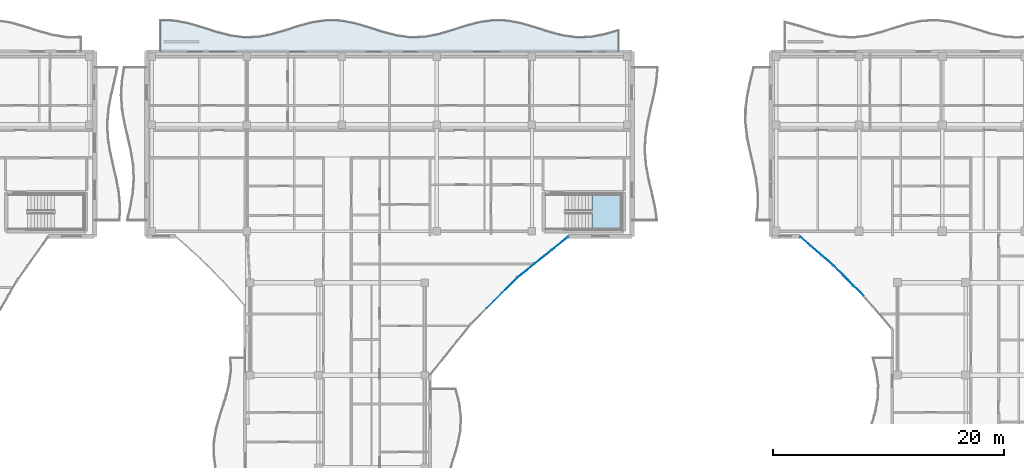
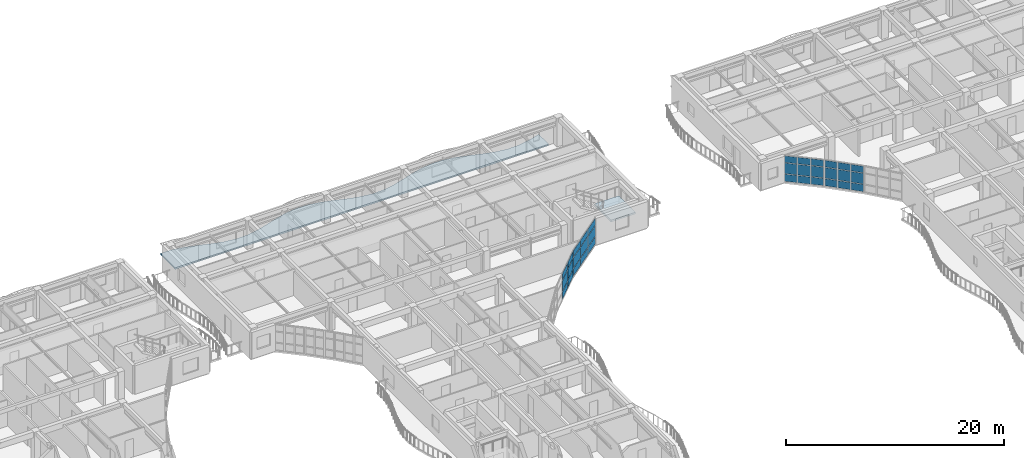
# One storey, part 74 of 128: 33 plates, 2 slabs, 5 elements without a shape of their own.
"""IFC4 building model written with IfcOpenShell, lengths in metres."""

import ifcopenshell
import ifcopenshell.guid

model = None  # the IFC model being written
_history = None  # IfcOwnerHistory: only IFC2X3 demands one
_inside = {}  # id of a spatial element -> (the spatial element, [elements in it])
_under = {}  # id of a project, library or spatial element -> (it, [spatial elements below it])
_declared = {}  # id of a project -> (the project, [libraries it declares])
_typed = {}  # id of a type object -> (the type object, [elements of that type])
_made_of = {}  # id of a material, layer set ... -> (it, [elements and type objects made of it])


def new_model(schema):
    """Start an empty IFC model of exactly this schema.

    Asked for "IFC4X3", IfcOpenShell would pick the latest addendum, in which some entities
    have other attributes; the version numbers below select the first issue.
    IFC2X3 requires an IfcOwnerHistory on every rooted entity: one is made here for all.
    """
    global model, _history
    if schema == "IFC4X3":
        model = ifcopenshell.file(schema_version=(4, 3, 0, 0))
    else:
        model = ifcopenshell.file(schema=schema)
    _inside.clear()
    _under.clear()
    _declared.clear()
    _typed.clear()
    _made_of.clear()
    _history = None
    if model.schema == "IFC2X3":
        org = make("IfcOrganization", Name="unknown")
        user = make(
            "IfcPersonAndOrganization",
            ThePerson=make("IfcPerson", FamilyName="unknown"),
            TheOrganization=org,
        )
        app = make(
            "IfcApplication",
            ApplicationDeveloper=org,
            Version="unknown",
            ApplicationFullName="unknown",
            ApplicationIdentifier="unknown",
        )
        _history = make(
            "IfcOwnerHistory",
            OwningUser=user,
            OwningApplication=app,
            ChangeAction="ADDED",
            CreationDate=0,
        )
    return model


def make(cls, **values):
    """One entity of the class cls with the attributes given. An attribute that is None is left unset."""
    return model.create_entity(
        cls, **{name: value for name, value in values.items() if value is not None}
    )


def rooted(cls, **values):
    """An entity with a GlobalId (a new one), such as an element, a storey or a relation."""
    return make(cls, GlobalId=ifcopenshell.guid.new(), OwnerHistory=_history, **values)


def si_unit(unit_type, name, prefix=None):
    """IfcSIUnit, for example si_unit("LENGTHUNIT", "METRE", prefix="MILLI")."""
    return make("IfcSIUnit", UnitType=unit_type, Prefix=prefix, Name=name)


def assignment(units):
    """IfcUnitAssignment: the units of a project."""
    return None if units is None else make("IfcUnitAssignment", Units=units)


def point(xyz):
    """IfcCartesianPoint."""
    return None if xyz is None else make("IfcCartesianPoint", Coordinates=xyz)


def direction(xyz):
    """IfcDirection."""
    return None if xyz is None else make("IfcDirection", DirectionRatios=xyz)


def frame(location, z_axis=None, x_axis=None):
    """IfcAxis2Placement3D, a coordinate frame: its origin and axes. An axis left out is left unset."""
    return make(
        "IfcAxis2Placement3D",
        Location=point(location),
        Axis=direction(z_axis),
        RefDirection=direction(x_axis),
    )


def frame_2d(location, x_axis=None):
    """IfcAxis2Placement2D, a coordinate frame in the plane: its origin and x axis."""
    return make(
        "IfcAxis2Placement2D", Location=point(location), RefDirection=direction(x_axis)
    )


def origin():
    """The frame at (0, 0, 0) with its axes left unset."""
    return frame((0.0, 0.0, 0.0))


def origin_2d():
    """The frame at (0, 0) in the plane with its x axis left unset."""
    return frame_2d((0.0, 0.0))


def place(relative_to, where):
    """IfcLocalPlacement: puts the frame where relative to a parent placement (None: the world)."""
    return make(
        "IfcLocalPlacement", PlacementRelTo=relative_to, RelativePlacement=where
    )


def context(
    kind, dimensions, precision=None, world=None, true_north=None, identifier=None
):
    """IfcGeometricRepresentationContext, for example the 3D "Model" context."""
    return make(
        "IfcGeometricRepresentationContext",
        ContextIdentifier=identifier,
        ContextType=kind,
        CoordinateSpaceDimension=dimensions,
        Precision=precision,
        WorldCoordinateSystem=world,
        TrueNorth=true_north,
    )


def subcontext(parent, identifier, kind, view, scale=None):
    """IfcGeometricRepresentationSubContext, for example "Body" below "Model"."""
    return make(
        "IfcGeometricRepresentationSubContext",
        ContextIdentifier=identifier,
        ContextType=kind,
        ParentContext=parent,
        TargetScale=scale,
        TargetView=view,
    )


def project(units=None, contexts=None):
    """IfcProject with its units and contexts."""
    return rooted(
        "IfcProject",
        Name="project",
        RepresentationContexts=contexts,
        UnitsInContext=assignment(units),
    )


def spatial(cls, under=None, at=None, **own):
    """A site, building, storey or space (cls), placed at a placement, below another one or the project."""
    s = rooted(cls, ObjectPlacement=at, **own)
    if under is not None:
        _under.setdefault(under.id(), (under, []))[1].append(s)
    return s


def polyline(points):
    """IfcPolyline through the points."""
    return make("IfcPolyline", Points=[point(p) for p in points])


def profile(cls, at=None, kind="AREA", **sizes):
    """A parametric profile (cls). Its sizes go by their IFC names, for example OverallWidth=200.0."""
    return make(cls, ProfileType=kind, Position=at, **sizes)


def rectangle(**sizes):
    """IfcRectangleProfileDef."""
    return profile("IfcRectangleProfileDef", **sizes)


def outline(outer, holes=None, kind="AREA"):
    """IfcArbitraryClosedProfileDef: a profile drawn as a closed curve; with holes, ...WithVoids."""
    if holes is None:
        return make("IfcArbitraryClosedProfileDef", ProfileType=kind, OuterCurve=outer)
    return make(
        "IfcArbitraryProfileDefWithVoids",
        ProfileType=kind,
        OuterCurve=outer,
        InnerCurves=holes,
    )


def extrude(swept, where, along, depth):
    """IfcExtrudedAreaSolid: the profile swept, set in the frame where, extruded along a direction by depth."""
    return make(
        "IfcExtrudedAreaSolid",
        SweptArea=swept,
        Position=where,
        ExtrudedDirection=direction(along),
        Depth=depth,
    )


def shape(context_of_items, identifier, shape_type, items):
    """IfcShapeRepresentation: the items that make up one representation, for example the "Body"."""
    return make(
        "IfcShapeRepresentation",
        ContextOfItems=context_of_items,
        RepresentationIdentifier=identifier,
        RepresentationType=shape_type,
        Items=items,
    )


def material(Name=None, Category=None):
    """IfcMaterial."""
    return make("IfcMaterial", Name=Name, Category=Category)


def layer(
    of_material, thickness, ventilated=None, Name=None, Category=None, Priority=None
):
    """IfcMaterialLayer: one layer of a wall or slab, of a material (None: an air gap)."""
    return make(
        "IfcMaterialLayer",
        Material=of_material,
        LayerThickness=thickness,
        IsVentilated=ventilated,
        Name=Name,
        Category=Category,
        Priority=Priority,
    )


def layer_set(layers, Name=None):
    """IfcMaterialLayerSet."""
    return make("IfcMaterialLayerSet", MaterialLayers=layers, LayerSetName=Name)


def made_of(thing, what):
    """Note that an element or type object is made of a material, layer set ...; save() writes the relation."""
    if what is not None:
        _made_of.setdefault(what.id(), (what, []))[1].append(thing)
    return thing


def type_object(cls, material=None, **own):
    """A type object (cls), such as IfcWallType, which elements share."""
    return made_of(rooted(cls, **own), material)


def element(
    cls,
    number,
    at=None,
    inside=None,
    cuts=None,
    type_object=None,
    material=None,
    context=None,
    identifier="Body",
    shape_type=None,
    held_by="IfcProductDefinitionShape",
    body=None,
    shapes=None,
    **own,
):
    """One element of the class cls, such as IfcWall. Its Tag is "e" and its number.

    at: its placement. inside: the storey or other place that contains it. cuts: it is an
    opening in that element (IfcRelVoidsElement). A single representation is given by context,
    identifier, shape_type and body (its items); several are given by shapes. held_by: the class
    of the entity that holds the representations. save() writes the other relations.
    """
    e = rooted(cls, Tag="e%d" % number, ObjectPlacement=at, **own)
    if body is not None:
        shapes = [shape(context, identifier, shape_type, body)]
    if shapes is not None:
        e.Representation = make(held_by, Representations=shapes)
    if inside is not None:
        _inside.setdefault(inside.id(), (inside, []))[1].append(e)
    if cuts is not None:
        rooted(
            "IfcRelVoidsElement", RelatingBuildingElement=cuts, RelatedOpeningElement=e
        )
    if type_object is not None:
        _typed.setdefault(type_object.id(), (type_object, []))[1].append(e)
    return made_of(e, material)


def aggregate(whole, parts):
    """IfcRelAggregates: a whole, such as a stair, and the parts it consists of."""
    return rooted("IfcRelAggregates", RelatingObject=whole, RelatedObjects=parts)


def save(model, path):
    """Write the relations noted so far, then the file.

    IfcRelAggregates (storeys below a building ...), IfcRelContainedInSpatialStructure (elements
    in a storey), IfcRelDefinesByType, IfcRelAssociatesMaterial and IfcRelDeclares: one each for
    every whole, place, type object, material and project.
    """
    for whole, parts in _under.values():
        aggregate(whole, parts)
    for where, things in _inside.values():
        rooted(
            "IfcRelContainedInSpatialStructure",
            RelatedElements=things,
            RelatingStructure=where,
        )
    for kind, things in _typed.values():
        rooted("IfcRelDefinesByType", RelatedObjects=things, RelatingType=kind)
    for what, things in _made_of.values():
        rooted("IfcRelAssociatesMaterial", RelatedObjects=things, RelatingMaterial=what)
    for by, libraries in _declared.values():
        rooted("IfcRelDeclares", RelatingContext=by, RelatedDefinitions=libraries)
    model.write(path)


model = new_model("IFC4")

# Units and contexts
model_context = context("Model", 3, precision=1e-05, world=origin(), true_north=direction((0.0, 1.0)))
body_context = subcontext(model_context, "Body", "Model", "MODEL_VIEW")
ifc_project = project(units=[si_unit("LENGTHUNIT", "METRE"), si_unit("AREAUNIT", "SQUARE_METRE"), si_unit("VOLUMEUNIT", "CUBIC_METRE"), si_unit("PLANEANGLEUNIT", "RADIAN"), si_unit("MASSUNIT", "GRAM", prefix="KILO")], contexts=[model_context])

# Site, building, storey
site_placement = place(None, origin())
site = spatial("IfcSite", under=ifc_project, at=site_placement, CompositionType="ELEMENT")
building_placement = place(site_placement, origin())
building = spatial("IfcBuilding", under=site, at=building_placement, Name="Keldmere Railside Commons", CompositionType="ELEMENT")
storey_placement = place(building_placement, frame((0.0, 0.0, 4.159912109375)))
storey = spatial("IfcBuildingStorey", under=building, at=storey_placement, Name="L01", CompositionType="ELEMENT", Elevation=4.159912109375)

# Stair, slab
ifc_material_1 = material(Name="Concrete H-30 (C30/37)", Category="concrete")
stair_type = type_object("IfcStairType", Name="Residential Core Dogleg Stair 1450", PredefinedType="HALF_TURN_STAIR", material=ifc_material_1)
stair_placement = place(storey_placement, origin())
stair = element("IfcStair", 1, at=stair_placement, inside=storey, type_object=stair_type, Name="L01 Block C Secondary Escape Stair 2", PredefinedType="HALF_TURN_STAIR")
ifc_layer_1 = layer(ifc_material_1, 0.199951171875, Name="Enclosed Stair Landing Slab 200")
ifc_layer_set_1 = layer_set([ifc_layer_1], Name="Concrete H-30 (C30/37)")
slab_type_1 = type_object("IfcSlabType", Name="Enclosed Stair Landing Slab 200", PredefinedType="LANDING", material=ifc_layer_set_1)
slab_1_placement = place(storey_placement, frame((0.0, 0.0, 1.400146484375)))
slab_1 = element("IfcSlab", 2, at=slab_1_placement, type_object=slab_type_1, Name="ST-C2 landing 1", PredefinedType="LANDING", context=body_context, shape_type="SweptSolid", body=[
    extrude(outline(polyline([(78.02001953125, 100.60009765625), (80.60009765625, 100.60009765625), (80.60009765625, 103.64990234375), (78.02001953125, 103.64990234375), (78.02001953125, 100.60009765625)])), origin(), (0.0, 0.0, 1.0), 0.199951171875),
])
aggregate(stair, [slab_1])

# Curtain wall, plates
ifc_material_2 = material(Name="Thermally Broken Aluminium", Category="aluminium")
ifc_layer_2 = layer(ifc_material_2, 0.159912109375, Name="Court Chord Wintergarden CW 5400x2850")
ifc_layer_set_2 = layer_set([ifc_layer_2], Name="Thermally Broken Aluminium")
curtain_wall_type_1 = type_object("IfcCurtainWallType", Name="Court Chord Wintergarden CW 5400x2850", PredefinedType="NOTDEFINED", material=ifc_layer_set_2)
curtain_wall_1_placement = place(storey_placement, origin())
curtain_wall_1 = element("IfcCurtainWall", 3, at=curtain_wall_1_placement, inside=storey, type_object=curtain_wall_type_1, Name="CW-13 CW-L01-032", PredefinedType="NOTDEFINED")
ifc_material_3 = material(Name="Insulated Aluminium Spandrel Panel", Category="aluminium")
ifc_layer_3 = layer(ifc_material_3, 0.0439453125, Name="Insulated Ocher Spandrel Panel 44")
ifc_layer_set_3 = layer_set([ifc_layer_3], Name="Insulated Aluminium Spandrel Panel")
plate_type_1 = type_object("IfcPlateType", Name="Insulated Ocher Spandrel Panel 44", PredefinedType="CURTAIN_PANEL", material=ifc_layer_set_3)
plate_1_placement = place(storey_placement, frame((70.88916015625, 95.76513671875, 0.06494140625), z_axis=(0.0, 0.0, 1.0), x_axis=(-0.707106781187, -0.707106781187, 0.0)))
plate_1 = element("IfcPlate", 4, at=plate_1_placement, type_object=plate_type_1, Name="CW-13 panel 1.1", PredefinedType="CURTAIN_PANEL", context=body_context, shape_type="SweptSolid", body=[
    extrude(rectangle(XDim=1.795654296875, YDim=0.0439453125, at=origin_2d()), origin(), (0.0, 0.0, 1.0), 0.802490234375),
])
plate_2_placement = place(storey_placement, frame((70.88916015625, 95.76513671875, 0.9326171875), z_axis=(0.0, 0.0, 1.0), x_axis=(-0.707106781187, -0.707106781187, 0.0)))
plate_2 = element("IfcPlate", 5, at=plate_2_placement, type_object=plate_type_1, Name="CW-13 panel 1.2", PredefinedType="CURTAIN_PANEL", context=body_context, shape_type="SweptSolid", body=[
    extrude(rectangle(XDim=1.795654296875, YDim=0.0439453125, at=origin_2d()), origin(), (0.0, 0.0, 1.0), 1.18505859375),
])
plate_3_placement = place(storey_placement, frame((70.88916015625, 95.76513671875, 2.1826171875), z_axis=(0.0, 0.0, 1.0), x_axis=(-0.707106781187, -0.707106781187, 0.0)))
plate_3 = element("IfcPlate", 6, at=plate_3_placement, type_object=plate_type_1, Name="CW-13 panel 1.3", PredefinedType="CURTAIN_PANEL", context=body_context, shape_type="SweptSolid", body=[
    extrude(rectangle(XDim=1.795654296875, YDim=0.0439453125, at=origin_2d()), origin(), (0.0, 0.0, 1.0), 0.732421875),
])
plate_4_placement = place(storey_placement, frame((69.56201171875, 94.43798828125, 0.06494140625), z_axis=(0.0, 0.0, 1.0), x_axis=(-0.707106781187, -0.707106781187, 0.0)))
plate_4 = element("IfcPlate", 7, at=plate_4_placement, type_object=plate_type_1, Name="CW-13 panel 2.1", PredefinedType="CURTAIN_PANEL", context=body_context, shape_type="SweptSolid", body=[
    extrude(rectangle(XDim=1.828125, YDim=0.0439453125, at=origin_2d()), origin(), (0.0, 0.0, 1.0), 0.802490234375),
])
plate_5_placement = place(storey_placement, frame((69.56201171875, 94.43798828125, 0.9326171875), z_axis=(0.0, 0.0, 1.0), x_axis=(-0.707106781187, -0.707106781187, 0.0)))
plate_5 = element("IfcPlate", 8, at=plate_5_placement, type_object=plate_type_1, Name="CW-13 panel 2.2", PredefinedType="CURTAIN_PANEL", context=body_context, shape_type="SweptSolid", body=[
    extrude(rectangle(XDim=1.828125, YDim=0.0439453125, at=origin_2d()), origin(), (0.0, 0.0, 1.0), 1.18505859375),
])
plate_6_placement = place(storey_placement, frame((69.56201171875, 94.43798828125, 2.1826171875), z_axis=(0.0, 0.0, 1.0), x_axis=(-0.707106781187, -0.707106781187, 0.0)))
plate_6 = element("IfcPlate", 9, at=plate_6_placement, type_object=plate_type_1, Name="CW-13 panel 2.3", PredefinedType="CURTAIN_PANEL", context=body_context, shape_type="SweptSolid", body=[
    extrude(rectangle(XDim=1.828125, YDim=0.0439453125, at=origin_2d()), origin(), (0.0, 0.0, 1.0), 0.732421875),
])
aggregate(curtain_wall_1, [plate_1, plate_2, plate_3, plate_4, plate_5, plate_6])

ifc_layer_4 = layer(ifc_material_2, 0.159912109375, Name="Court Chord Wintergarden CW 4800x2850")
ifc_layer_set_4 = layer_set([ifc_layer_4], Name="Thermally Broken Aluminium")
curtain_wall_type_2 = type_object("IfcCurtainWallType", Name="Court Chord Wintergarden CW 4800x2850", PredefinedType="NOTDEFINED", material=ifc_layer_set_4)
curtain_wall_2_placement = place(storey_placement, origin())
curtain_wall_2 = element("IfcCurtainWall", 10, at=curtain_wall_2_placement, inside=storey, type_object=curtain_wall_type_2, Name="CW-12 CW-L01-094", PredefinedType="NOTDEFINED")
plate_7_placement = place(storey_placement, frame((98.369384765625, 97.952392578125, 0.06494140625), z_axis=(0.0, 0.0, 1.0), x_axis=(-0.756596767584, 0.653881741053, 0.0)))
plate_7 = element("IfcPlate", 11, at=plate_7_placement, type_object=plate_type_1, Name="CW-12 panel 1.1", PredefinedType="CURTAIN_PANEL", context=body_context, shape_type="SweptSolid", body=[
    extrude(rectangle(XDim=1.16162109375, YDim=0.0439453125, at=origin_2d()), origin(), (0.0, 0.0, 1.0), 0.802490234375),
])
plate_8_placement = place(storey_placement, frame((98.369384765625, 97.952392578125, 0.9326171875), z_axis=(0.0, 0.0, 1.0), x_axis=(-0.756596767584, 0.653881741053, 0.0)))
plate_8 = element("IfcPlate", 12, at=plate_8_placement, type_object=plate_type_1, Name="CW-12 panel 1.2", PredefinedType="CURTAIN_PANEL", context=body_context, shape_type="SweptSolid", body=[
    extrude(rectangle(XDim=1.16162109375, YDim=0.0439453125, at=origin_2d()), origin(), (0.0, 0.0, 1.0), 1.18505859375),
])
plate_9_placement = place(storey_placement, frame((98.369384765625, 97.952392578125, 2.1826171875), z_axis=(0.0, 0.0, 1.0), x_axis=(-0.756596767584, 0.653881741053, 0.0)))
plate_9 = element("IfcPlate", 13, at=plate_9_placement, type_object=plate_type_1, Name="CW-12 panel 1.3", PredefinedType="CURTAIN_PANEL", context=body_context, shape_type="SweptSolid", body=[
    extrude(rectangle(XDim=1.16162109375, YDim=0.0439453125, at=origin_2d()), origin(), (0.0, 0.0, 1.0), 0.732421875),
])
plate_10_placement = place(storey_placement, frame((97.428955078125, 98.764892578125, 0.06494140625), z_axis=(0.0, 0.0, 1.0), x_axis=(-0.756596767584, 0.653881741053, 0.0)))
plate_10 = element("IfcPlate", 14, at=plate_10_placement, type_object=plate_type_1, Name="CW-12 panel 2.1", PredefinedType="CURTAIN_PANEL", context=body_context, shape_type="SweptSolid", body=[
    extrude(rectangle(XDim=1.194091796875, YDim=0.0439453125, at=origin_2d()), origin(), (0.0, 0.0, 1.0), 0.802490234375),
])
plate_11_placement = place(storey_placement, frame((97.428955078125, 98.764892578125, 0.9326171875), z_axis=(0.0, 0.0, 1.0), x_axis=(-0.756596767584, 0.653881741053, 0.0)))
plate_11 = element("IfcPlate", 15, at=plate_11_placement, type_object=plate_type_1, Name="CW-12 panel 2.2", PredefinedType="CURTAIN_PANEL", context=body_context, shape_type="SweptSolid", body=[
    extrude(rectangle(XDim=1.194091796875, YDim=0.0439453125, at=origin_2d()), origin(), (0.0, 0.0, 1.0), 1.18505859375),
])
plate_12_placement = place(storey_placement, frame((97.428955078125, 98.764892578125, 2.1826171875), z_axis=(0.0, 0.0, 1.0), x_axis=(-0.756596767584, 0.653881741053, 0.0)))
plate_12 = element("IfcPlate", 16, at=plate_12_placement, type_object=plate_type_1, Name="CW-12 panel 2.3", PredefinedType="CURTAIN_PANEL", context=body_context, shape_type="SweptSolid", body=[
    extrude(rectangle(XDim=1.194091796875, YDim=0.0439453125, at=origin_2d()), origin(), (0.0, 0.0, 1.0), 0.732421875),
])
plate_13_placement = place(storey_placement, frame((96.488525390625, 99.57763671875, 0.06494140625), z_axis=(0.0, 0.0, 1.0), x_axis=(-0.756596767584, 0.653881741053, 0.0)))
plate_13 = element("IfcPlate", 17, at=plate_13_placement, type_object=plate_type_1, Name="CW-12 panel 3.1", PredefinedType="CURTAIN_PANEL", context=body_context, shape_type="SweptSolid", body=[
    extrude(rectangle(XDim=1.16162109375, YDim=0.0439453125, at=origin_2d()), origin(), (0.0, 0.0, 1.0), 0.802490234375),
])
plate_14_placement = place(storey_placement, frame((96.488525390625, 99.57763671875, 0.9326171875), z_axis=(0.0, 0.0, 1.0), x_axis=(-0.756596767584, 0.653881741053, 0.0)))
plate_14 = element("IfcPlate", 18, at=plate_14_placement, type_object=plate_type_1, Name="CW-12 panel 3.2", PredefinedType="CURTAIN_PANEL", context=body_context, shape_type="SweptSolid", body=[
    extrude(rectangle(XDim=1.16162109375, YDim=0.0439453125, at=origin_2d()), origin(), (0.0, 0.0, 1.0), 1.18505859375),
])
plate_15_placement = place(storey_placement, frame((96.488525390625, 99.57763671875, 2.1826171875), z_axis=(0.0, 0.0, 1.0), x_axis=(-0.756596767584, 0.653881741053, 0.0)))
plate_15 = element("IfcPlate", 19, at=plate_15_placement, type_object=plate_type_1, Name="CW-12 panel 3.3", PredefinedType="CURTAIN_PANEL", context=body_context, shape_type="SweptSolid", body=[
    extrude(rectangle(XDim=1.16162109375, YDim=0.0439453125, at=origin_2d()), origin(), (0.0, 0.0, 1.0), 0.732421875),
])
aggregate(curtain_wall_2, [plate_7, plate_8, plate_9, plate_10, plate_11, plate_12, plate_13, plate_14, plate_15])

curtain_wall_3_placement = place(storey_placement, origin())
curtain_wall_3 = element("IfcCurtainWall", 20, at=curtain_wall_3_placement, inside=storey, type_object=curtain_wall_type_2, Name="CW-12 CW-L01-033", PredefinedType="NOTDEFINED")
ifc_layer_5 = layer(ifc_material_3, 0.050048828125, Name="Insulated Terracotta Spandrel Panel 50")
ifc_layer_set_5 = layer_set([ifc_layer_5], Name="Insulated Aluminium Spandrel Panel")
plate_type_2 = type_object("IfcPlateType", Name="Insulated Terracotta Spandrel Panel 50", PredefinedType="CURTAIN_PANEL", material=ifc_layer_set_5)
plate_16_placement = place(storey_placement, frame((75.2490234375, 99.3974609375, 0.06494140625), z_axis=(0.0, 0.0, 1.0), x_axis=(-0.780009172323, -0.625768080915, 0.0)))
plate_16 = element("IfcPlate", 21, at=plate_16_placement, type_object=plate_type_2, Name="CW-12 panel 1.1", PredefinedType="CURTAIN_PANEL", context=body_context, shape_type="SweptSolid", body=[
    extrude(rectangle(XDim=1.795654296875, YDim=0.050048828125, at=origin_2d()), origin(), (0.0, 0.0, 1.0), 0.802490234375),
])
plate_17_placement = place(storey_placement, frame((75.2490234375, 99.3974609375, 0.9326171875), z_axis=(0.0, 0.0, 1.0), x_axis=(-0.780009172323, -0.625768080915, 0.0)))
plate_17 = element("IfcPlate", 22, at=plate_17_placement, type_object=plate_type_2, Name="CW-12 panel 1.2", PredefinedType="CURTAIN_PANEL", context=body_context, shape_type="SweptSolid", body=[
    extrude(rectangle(XDim=1.795654296875, YDim=0.050048828125, at=origin_2d()), origin(), (0.0, 0.0, 1.0), 1.18505859375),
])
plate_18_placement = place(storey_placement, frame((75.2490234375, 99.3974609375, 2.1826171875), z_axis=(0.0, 0.0, 1.0), x_axis=(-0.780009172323, -0.625768080915, 0.0)))
plate_18 = element("IfcPlate", 23, at=plate_18_placement, type_object=plate_type_2, Name="CW-12 panel 1.3", PredefinedType="CURTAIN_PANEL", context=body_context, shape_type="SweptSolid", body=[
    extrude(rectangle(XDim=1.795654296875, YDim=0.050048828125, at=origin_2d()), origin(), (0.0, 0.0, 1.0), 0.732421875),
])
plate_19_placement = place(storey_placement, frame((73.784912109375, 98.222900390625, 0.06494140625), z_axis=(0.0, 0.0, 1.0), x_axis=(-0.780009172323, -0.625768080915, 0.0)))
plate_19 = element("IfcPlate", 24, at=plate_19_placement, type_object=plate_type_2, Name="CW-12 panel 2.1", PredefinedType="CURTAIN_PANEL", context=body_context, shape_type="SweptSolid", body=[
    extrude(rectangle(XDim=1.828125, YDim=0.050048828125, at=origin_2d()), origin(), (0.0, 0.0, 1.0), 0.802490234375),
])
plate_20_placement = place(storey_placement, frame((73.784912109375, 98.222900390625, 0.9326171875), z_axis=(0.0, 0.0, 1.0), x_axis=(-0.780009172323, -0.625768080915, 0.0)))
plate_20 = element("IfcPlate", 25, at=plate_20_placement, type_object=plate_type_2, Name="CW-12 panel 2.2", PredefinedType="CURTAIN_PANEL", context=body_context, shape_type="SweptSolid", body=[
    extrude(rectangle(XDim=1.828125, YDim=0.050048828125, at=origin_2d()), origin(), (0.0, 0.0, 1.0), 1.18505859375),
])
plate_21_placement = place(storey_placement, frame((73.784912109375, 98.222900390625, 2.1826171875), z_axis=(0.0, 0.0, 1.0), x_axis=(-0.780009172323, -0.625768080915, 0.0)))
plate_21 = element("IfcPlate", 26, at=plate_21_placement, type_object=plate_type_2, Name="CW-12 panel 2.3", PredefinedType="CURTAIN_PANEL", context=body_context, shape_type="SweptSolid", body=[
    extrude(rectangle(XDim=1.828125, YDim=0.050048828125, at=origin_2d()), origin(), (0.0, 0.0, 1.0), 0.732421875),
])
plate_22_placement = place(storey_placement, frame((72.321044921875, 97.048583984375, 0.06494140625), z_axis=(0.0, 0.0, 1.0), x_axis=(-0.780009172323, -0.625768080915, 0.0)))
plate_22 = element("IfcPlate", 27, at=plate_22_placement, type_object=plate_type_2, Name="CW-12 panel 3.1", PredefinedType="CURTAIN_PANEL", context=body_context, shape_type="SweptSolid", body=[
    extrude(rectangle(XDim=1.795654296875, YDim=0.050048828125, at=origin_2d()), origin(), (0.0, 0.0, 1.0), 0.802490234375),
])
plate_23_placement = place(storey_placement, frame((72.321044921875, 97.048583984375, 0.9326171875), z_axis=(0.0, 0.0, 1.0), x_axis=(-0.780009172323, -0.625768080915, 0.0)))
plate_23 = element("IfcPlate", 28, at=plate_23_placement, type_object=plate_type_2, Name="CW-12 panel 3.2", PredefinedType="CURTAIN_PANEL", context=body_context, shape_type="SweptSolid", body=[
    extrude(rectangle(XDim=1.795654296875, YDim=0.050048828125, at=origin_2d()), origin(), (0.0, 0.0, 1.0), 1.18505859375),
])
plate_24_placement = place(storey_placement, frame((72.321044921875, 97.048583984375, 2.1826171875), z_axis=(0.0, 0.0, 1.0), x_axis=(-0.780009172323, -0.625768080915, 0.0)))
plate_24 = element("IfcPlate", 29, at=plate_24_placement, type_object=plate_type_2, Name="CW-12 panel 3.3", PredefinedType="CURTAIN_PANEL", context=body_context, shape_type="SweptSolid", body=[
    extrude(rectangle(XDim=1.795654296875, YDim=0.050048828125, at=origin_2d()), origin(), (0.0, 0.0, 1.0), 0.732421875),
])
aggregate(curtain_wall_3, [plate_16, plate_17, plate_18, plate_19, plate_20, plate_21, plate_22, plate_23, plate_24])

curtain_wall_4_placement = place(storey_placement, origin())
curtain_wall_4 = element("IfcCurtainWall", 30, at=curtain_wall_4_placement, inside=storey, type_object=curtain_wall_type_1, Name="CW-13 CW-L01-095", PredefinedType="NOTDEFINED")
plate_25_placement = place(storey_placement, frame((101.0732421875, 95.31494140625, 0.06494140625), z_axis=(0.0, 0.0, 1.0), x_axis=(-0.707106781187, 0.707106781187, 0.0)))
plate_25 = element("IfcPlate", 31, at=plate_25_placement, type_object=plate_type_2, Name="CW-13 panel 1.1", PredefinedType="CURTAIN_PANEL", context=body_context, shape_type="SweptSolid", body=[
    extrude(rectangle(XDim=1.162109375, YDim=0.050048828125, at=origin_2d()), origin(), (0.0, 0.0, 1.0), 0.802490234375),
])
plate_26_placement = place(storey_placement, frame((101.0732421875, 95.31494140625, 0.9326171875), z_axis=(0.0, 0.0, 1.0), x_axis=(-0.707106781187, 0.707106781187, 0.0)))
plate_26 = element("IfcPlate", 32, at=plate_26_placement, type_object=plate_type_2, Name="CW-13 panel 1.2", PredefinedType="CURTAIN_PANEL", context=body_context, shape_type="SweptSolid", body=[
    extrude(rectangle(XDim=1.162109375, YDim=0.050048828125, at=origin_2d()), origin(), (0.0, 0.0, 1.0), 1.18505859375),
])
plate_27_placement = place(storey_placement, frame((101.0732421875, 95.31494140625, 2.1826171875), z_axis=(0.0, 0.0, 1.0), x_axis=(-0.707106781187, 0.707106781187, 0.0)))
plate_27 = element("IfcPlate", 33, at=plate_27_placement, type_object=plate_type_2, Name="CW-13 panel 1.3", PredefinedType="CURTAIN_PANEL", context=body_context, shape_type="SweptSolid", body=[
    extrude(rectangle(XDim=1.162109375, YDim=0.050048828125, at=origin_2d()), origin(), (0.0, 0.0, 1.0), 0.732421875),
])
plate_28_placement = place(storey_placement, frame((100.194091796875, 96.194091796875, 0.06494140625), z_axis=(0.0, 0.0, 1.0), x_axis=(-0.707106781187, 0.707106781187, 0.0)))
plate_28 = element("IfcPlate", 34, at=plate_28_placement, type_object=plate_type_2, Name="CW-13 panel 2.1", PredefinedType="CURTAIN_PANEL", context=body_context, shape_type="SweptSolid", body=[
    extrude(rectangle(XDim=1.194580078125, YDim=0.050048828125, at=origin_2d()), origin(), (0.0, 0.0, 1.0), 0.802490234375),
])
plate_29_placement = place(storey_placement, frame((100.194091796875, 96.194091796875, 0.9326171875), z_axis=(0.0, 0.0, 1.0), x_axis=(-0.707106781187, 0.707106781187, 0.0)))
plate_29 = element("IfcPlate", 35, at=plate_29_placement, type_object=plate_type_2, Name="CW-13 panel 2.2", PredefinedType="CURTAIN_PANEL", context=body_context, shape_type="SweptSolid", body=[
    extrude(rectangle(XDim=1.194580078125, YDim=0.050048828125, at=origin_2d()), origin(), (0.0, 0.0, 1.0), 1.18505859375),
])
plate_30_placement = place(storey_placement, frame((100.194091796875, 96.194091796875, 2.1826171875), z_axis=(0.0, 0.0, 1.0), x_axis=(-0.707106781187, 0.707106781187, 0.0)))
plate_30 = element("IfcPlate", 36, at=plate_30_placement, type_object=plate_type_2, Name="CW-13 panel 2.3", PredefinedType="CURTAIN_PANEL", context=body_context, shape_type="SweptSolid", body=[
    extrude(rectangle(XDim=1.194580078125, YDim=0.050048828125, at=origin_2d()), origin(), (0.0, 0.0, 1.0), 0.732421875),
])
plate_31_placement = place(storey_placement, frame((99.31494140625, 97.0732421875, 0.06494140625), z_axis=(0.0, 0.0, 1.0), x_axis=(-0.707106781187, 0.707106781187, 0.0)))
plate_31 = element("IfcPlate", 37, at=plate_31_placement, type_object=plate_type_2, Name="CW-13 panel 3.1", PredefinedType="CURTAIN_PANEL", context=body_context, shape_type="SweptSolid", body=[
    extrude(rectangle(XDim=1.162109375, YDim=0.050048828125, at=origin_2d()), origin(), (0.0, 0.0, 1.0), 0.802490234375),
])
plate_32_placement = place(storey_placement, frame((99.31494140625, 97.0732421875, 0.9326171875), z_axis=(0.0, 0.0, 1.0), x_axis=(-0.707106781187, 0.707106781187, 0.0)))
plate_32 = element("IfcPlate", 38, at=plate_32_placement, type_object=plate_type_2, Name="CW-13 panel 3.2", PredefinedType="CURTAIN_PANEL", context=body_context, shape_type="SweptSolid", body=[
    extrude(rectangle(XDim=1.162109375, YDim=0.050048828125, at=origin_2d()), origin(), (0.0, 0.0, 1.0), 1.18505859375),
])
plate_33_placement = place(storey_placement, frame((99.31494140625, 97.0732421875, 2.1826171875), z_axis=(0.0, 0.0, 1.0), x_axis=(-0.707106781187, 0.707106781187, 0.0)))
plate_33 = element("IfcPlate", 39, at=plate_33_placement, type_object=plate_type_2, Name="CW-13 panel 3.3", PredefinedType="CURTAIN_PANEL", context=body_context, shape_type="SweptSolid", body=[
    extrude(rectangle(XDim=1.162109375, YDim=0.050048828125, at=origin_2d()), origin(), (0.0, 0.0, 1.0), 0.732421875),
])
aggregate(curtain_wall_4, [plate_25, plate_26, plate_27, plate_28, plate_29, plate_30, plate_31, plate_32, plate_33])

# Slab
ifc_material_4 = material(Name="White Precast Concrete H-35 (C35/45)", Category="concrete")
ifc_layer_6 = layer(ifc_material_4, 0.179931640625, Name="Sinusoidal Wave Balcony Slab 180")
ifc_layer_set_6 = layer_set([ifc_layer_6], Name="White Precast Concrete H-35 (C35/45)")
slab_type_2 = type_object("IfcSlabType", Name="Sinusoidal Wave Balcony Slab 180", PredefinedType="FLOOR", material=ifc_layer_set_6)
slab_2_placement = place(storey_placement, frame((0.0, 0.0, -0.179931640625)))
element("IfcSlab", 40, at=slab_2_placement, inside=storey, type_object=slab_type_2, Name="WB-1 C L01 N Wave Balcony", PredefinedType="FLOOR", context=body_context, shape_type="SweptSolid", body=[
    extrude(outline(polyline([(40.699951171875, 116.0), (41.89990234375, 116.0), (43.10009765625, 116.0), (44.300048828125, 116.0), (45.5, 116.0), (46.699951171875, 116.0), (47.89990234375, 116.0), (49.10009765625, 116.0), (50.300048828125, 116.0), (51.5, 116.0), (52.699951171875, 116.0), (53.89990234375, 116.0), (55.10009765625, 116.0), (56.300048828125, 116.0), (57.5, 116.0), (58.699951171875, 116.0), (59.89990234375, 116.0), (61.10009765625, 116.0), (62.300048828125, 116.0), (63.5, 116.0), (64.699951171875, 116.0), (65.89990234375, 116.0), (67.10009765625, 116.0), (68.300048828125, 116.0), (69.5, 116.0), (70.699951171875, 116.0), (71.89990234375, 116.0), (73.10009765625, 116.0), (74.300048828125, 116.0), (75.5, 116.0), (76.699951171875, 116.0), (77.89990234375, 116.0), (79.10009765625, 116.0), (80.300048828125, 116.0), (80.300048828125, 117.822509765625), (79.10009765625, 117.47021484375), (77.89990234375, 117.24609375), (76.699951171875, 117.2109375), (75.5, 117.373779296875), (74.300048828125, 117.69091796875), (73.10009765625, 118.077392578125), (71.89990234375, 118.429931640625), (70.699951171875, 118.65380859375), (69.5, 118.689208984375), (68.300048828125, 118.5263671875), (67.10009765625, 118.208984375), (65.89990234375, 117.822509765625), (64.699951171875, 117.47021484375), (63.5, 117.24609375), (62.300048828125, 117.2109375), (61.10009765625, 117.373779296875), (59.89990234375, 117.69091796875), (58.699951171875, 118.077392578125), (57.5, 118.429931640625), (56.300048828125, 118.65380859375), (55.10009765625, 118.689208984375), (53.89990234375, 118.5263671875), (52.699951171875, 118.208984375), (51.5, 117.822509765625), (50.300048828125, 117.47021484375), (49.10009765625, 117.24609375), (47.89990234375, 117.2109375), (46.699951171875, 117.373779296875), (45.5, 117.69091796875), (44.300048828125, 118.077392578125), (43.10009765625, 118.429931640625), (41.89990234375, 118.65380859375), (40.699951171875, 118.689208984375), (40.699951171875, 116.0)])), origin(), (0.0, 0.0, 1.0), 0.179931640625),
])

save(model, "model.ifc")
